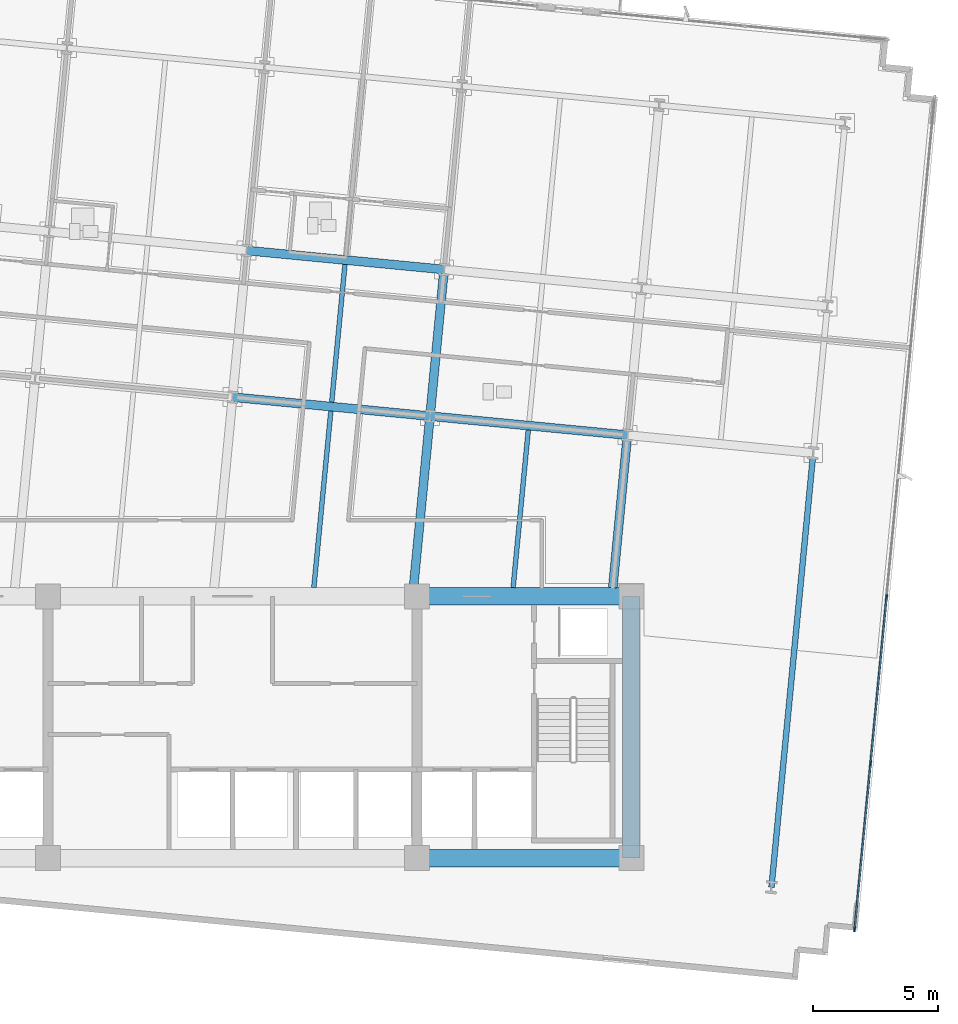
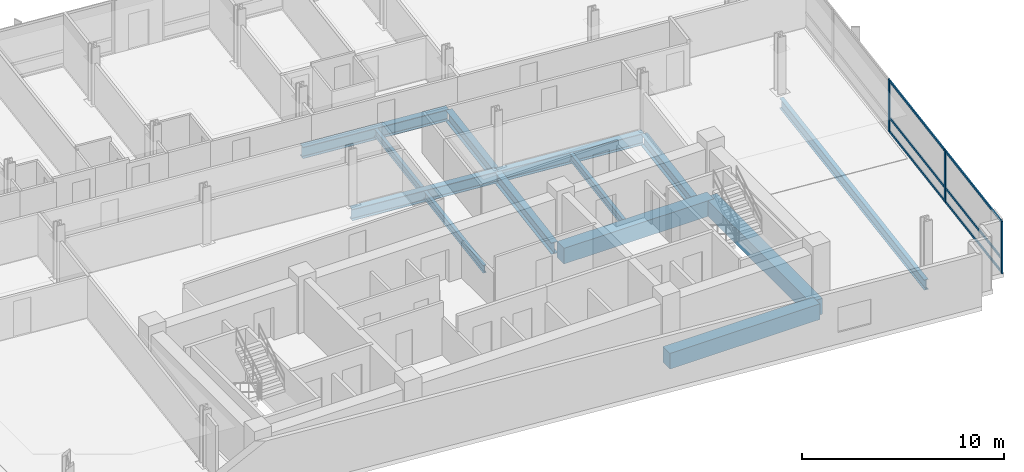
# One storey, part 5 of 17: 13 beams, 9 members, 1 element without a shape of its own.
"""IFC4 building model written with IfcOpenShell, lengths in metres."""

from ifc_helpers import new_model, si_unit, direction, frame, origin, origin_2d, place, context, subcontext, project, spatial, rectangle, i_section, extrude, material, material_profile, profile_set, type_object, element, aggregate, save


model = new_model("IFC4")

# Units and contexts
model_context = context("Model", 3, precision=1e-05, world=origin(), true_north=direction((0.0, 1.0)))
body_context = subcontext(model_context, "Body", "Model", "MODEL_VIEW")
ifc_project = project(units=[si_unit("LENGTHUNIT", "METRE"), si_unit("AREAUNIT", "SQUARE_METRE"), si_unit("VOLUMEUNIT", "CUBIC_METRE"), si_unit("PLANEANGLEUNIT", "RADIAN"), si_unit("MASSUNIT", "GRAM", prefix="KILO")], contexts=[model_context])

# Site, building, storey
site_placement = place(None, origin())
site = spatial("IfcSite", under=ifc_project, at=site_placement, CompositionType="ELEMENT")
building_placement = place(site_placement, origin())
building = spatial("IfcBuilding", under=site, at=building_placement, Name="Solmavex Isthmus Hotel", CompositionType="ELEMENT")
storey_placement = place(building_placement, frame((0.0, 0.0, 153.14990234375)))
storey = spatial("IfcBuildingStorey", under=building, at=storey_placement, Name="L41", CompositionType="ELEMENT", Elevation=153.14990234375)

# Beams
ifc_material_1 = material(Name="Steel ASTM A992 Grade 50", Category="steel")
ifc_material_profile_1 = material_profile(ifc_material_1, i_section(OverallWidth=0.354736328125, OverallDepth=0.695556640625, WebThickness=0.015380859375, FlangeThickness=0.02490234375, FilletRadius=0.017822265625, at=origin_2d()), Name="W27X146")
ifc_profile_set_1 = profile_set([ifc_material_profile_1], Name="Steel ASTM A992 Grade 50")
beam_type_1 = type_object("IfcBeamType", Name="BM-BG-W27X146", PredefinedType="BEAM", material=ifc_profile_set_1)
for number, where, z_axis, x_axis, name in (
    (1, (0.001220703125, 5.490234375, -0.607666015625), (0.995397440011, -0.095832856685, 0.0), (0.095832856685, 0.995397440011, 0.0), "Floor Girder L41-UG06"),
    (2, (7.920654296875, 4.727783203125, -0.607666015625), (0.995397440011, -0.095832856685, 0.0), (0.095832856685, 0.995397440011, 0.0), "Floor Girder L41-UG07"),
):
    element("IfcBeam", number, at=place(storey_placement, frame(where, z_axis=z_axis, x_axis=x_axis)), inside=storey, type_object=beam_type_1, Name=name, PredefinedType="BEAM", context=body_context, shape_type="SweptSolid", body=[
        extrude(i_section(OverallWidth=0.354736328125, OverallDepth=0.695556640625, WebThickness=0.015380859375, FlangeThickness=0.02490234375, FilletRadius=0.017822265625, at=origin_2d()), origin(), (0.0, 0.0, 1.0), 7.9560546875),
    ])
beam_1_placement = place(storey_placement, frame((0.567626953125, 11.37109375, -0.607666015625), z_axis=(0.995397158178, -0.095835783981, 0.0), x_axis=(0.095835783981, 0.995397158178, 0.0)))
element("IfcBeam", 3, at=beam_1_placement, inside=storey, type_object=beam_type_1, Name="Floor Girder L41-UG12", PredefinedType="BEAM", context=body_context, shape_type="SweptSolid", body=[
    extrude(i_section(OverallWidth=0.354736328125, OverallDepth=0.695556640625, WebThickness=0.015380859375, FlangeThickness=0.02490234375, FilletRadius=0.017822265625, at=origin_2d()), origin(), (0.0, 0.0, 1.0), 7.955810546875),
])
beam_2_placement = place(storey_placement, frame((7.25830078125, -2.14990234375, -0.607666015625), z_axis=(0.095847843924, 0.995395996986, 0.0), x_axis=(-0.995395996986, 0.095847843924, 0.0)))
element("IfcBeam", 4, at=beam_2_placement, inside=storey, type_object=beam_type_1, Name="Floor Beam L41-VG33", PredefinedType="BEAM", context=body_context, shape_type="SweptSolid", body=[
    extrude(i_section(OverallWidth=0.354736328125, OverallDepth=0.695556640625, WebThickness=0.015380859375, FlangeThickness=0.02490234375, FilletRadius=0.017822265625, at=origin_2d()), origin(), (0.0, 0.0, 1.0), 6.732177734375),
])
beam_3_placement = place(storey_placement, frame((7.937744140625, 4.904296875, -0.607666015625), z_axis=(0.095842252862, 0.99539653534, 0.0), x_axis=(-0.99539653534, 0.095842252862, 0.0)))
element("IfcBeam", 5, at=beam_3_placement, inside=storey, type_object=beam_type_1, Name="Floor Beam L41-VG34", PredefinedType="BEAM", context=body_context, shape_type="SweptSolid", body=[
    extrude(i_section(OverallWidth=0.354736328125, OverallDepth=0.695556640625, WebThickness=0.015380859375, FlangeThickness=0.02490234375, FilletRadius=0.017822265625, at=origin_2d()), origin(), (0.0, 0.0, 1.0), 5.55322265625),
])
beam_4_placement = place(storey_placement, frame((15.251220703125, -2.14990234375, -0.607666015625), z_axis=(0.095840286514, 0.995396724669, 0.0), x_axis=(-0.995396724669, 0.095840286514, 0.0)))
element("IfcBeam", 6, at=beam_4_placement, inside=storey, type_object=beam_type_1, Name="Floor Beam L41-VG36", PredefinedType="BEAM", context=body_context, shape_type="SweptSolid", body=[
    extrude(i_section(OverallWidth=0.354736328125, OverallDepth=0.695556640625, WebThickness=0.015380859375, FlangeThickness=0.02490234375, FilletRadius=0.017822265625, at=origin_2d()), origin(), (0.0, 0.0, 1.0), 5.9658203125),
])
ifc_material_profile_2 = material_profile(ifc_material_1, i_section(OverallWidth=0.1904296875, OverallDepth=0.456787109375, WebThickness=0.009033203125, FlangeThickness=0.014404296875, FilletRadius=0.0126953125, at=origin_2d()), Name="W18X50")
ifc_profile_set_2 = profile_set([ifc_material_profile_2], Name="Steel ASTM A992 Grade 50")
beam_type_2 = type_object("IfcBeamType", Name="BM-BJ-W18X50", PredefinedType="JOIST", material=ifc_profile_set_2)
beam_5_placement = place(storey_placement, frame((3.261962890625, -2.14990234375, -0.48828125), z_axis=(0.095837287001, 0.995397013468, 0.0), x_axis=(-0.995397013468, 0.095837287001, 0.0)))
element("IfcBeam", 7, at=beam_5_placement, inside=storey, type_object=beam_type_2, Name="Secondary Floor Joist L41-J10", PredefinedType="JOIST", context=body_context, shape_type="SweptSolid", body=[
    extrude(i_section(OverallWidth=0.1904296875, OverallDepth=0.456787109375, WebThickness=0.009033203125, FlangeThickness=0.014404296875, FilletRadius=0.0126953125, at=origin_2d()), origin(), (0.0, 0.0, 1.0), 7.114990234375),
])
beam_6_placement = place(storey_placement, frame((3.97802734375, 5.28564453125, -0.48828125), z_axis=(0.095842252862, 0.99539653534, 0.0), x_axis=(-0.99539653534, 0.095842252862, 0.0)))
element("IfcBeam", 8, at=beam_6_placement, inside=storey, type_object=beam_type_2, Name="Secondary Floor Joist L41-J11", PredefinedType="JOIST", context=body_context, shape_type="SweptSolid", body=[
    extrude(i_section(OverallWidth=0.1904296875, OverallDepth=0.456787109375, WebThickness=0.009033203125, FlangeThickness=0.014404296875, FilletRadius=0.0126953125, at=origin_2d()), origin(), (0.0, 0.0, 1.0), 5.55322265625),
])
beam_7_placement = place(storey_placement, frame((11.2548828125, -2.14990234375, -0.48828125), z_axis=(0.095825243261, 0.995398172971, 0.0), x_axis=(-0.995398172971, 0.095825243261, 0.0)))
element("IfcBeam", 9, at=beam_7_placement, inside=storey, type_object=beam_type_2, Name="Secondary Floor Joist L41-J13", PredefinedType="JOIST", context=body_context, shape_type="SweptSolid", body=[
    extrude(i_section(OverallWidth=0.1904296875, OverallDepth=0.456787109375, WebThickness=0.009033203125, FlangeThickness=0.014404296875, FilletRadius=0.0126953125, at=origin_2d()), origin(), (0.0, 0.0, 1.0), 6.34912109375),
])
ifc_material_2 = material(Name="Concrete C60/75", Category="concrete")
ifc_material_profile_3 = material_profile(ifc_material_2, rectangle(XDim=0.699951171875, YDim=0.949951171875, at=origin_2d()), Name="RC700X950")
ifc_profile_set_3 = profile_set([ifc_material_profile_3], Name="Concrete C60/75")
beam_type_3 = type_object("IfcBeamType", Name="BM-CB-700X950", PredefinedType="BEAM", material=ifc_profile_set_3)
for number, where, z_axis, x_axis, name in (
    (10, (7.39990234375, -13.0, -0.73486328125), (1.0, 0.0, 0.0), (0.0, 1.0, 0.0), "Core Coupling Beam L41-CB3"),
    (11, (7.39990234375, -2.5, -0.73486328125), (1.0, 0.0, 0.0), (0.0, 1.0, 0.0), "Core Coupling Beam L41-CB6"),
):
    element("IfcBeam", number, at=place(storey_placement, frame(where, z_axis=z_axis, x_axis=x_axis)), inside=storey, type_object=beam_type_3, Name=name, PredefinedType="BEAM", context=body_context, shape_type="SweptSolid", body=[
        extrude(rectangle(XDim=0.699951171875, YDim=0.949951171875, at=origin_2d()), origin(), (0.0, 0.0, 1.0), 8.60009765625),
    ])
beam_8_placement = place(storey_placement, frame((16.0, -13.0, -0.73486328125), z_axis=(0.0, 1.0, 0.0), x_axis=(-1.0, 0.0, 0.0)))
element("IfcBeam", 12, at=beam_8_placement, inside=storey, type_object=beam_type_3, Name="Core Coupling Beam L41-CB8", PredefinedType="BEAM", context=body_context, shape_type="SweptSolid", body=[
    extrude(rectangle(XDim=0.699951171875, YDim=0.949951171875, at=origin_2d()), origin(), (0.0, 0.0, 1.0), 10.5),
])
ifc_material_profile_4 = material_profile(ifc_material_1, i_section(OverallWidth=0.230224609375, OverallDepth=0.617431640625, WebThickness=0.01318359375, FlangeThickness=0.022216796875, FilletRadius=0.01513671875, at=origin_2d()), Name="W24X94")
ifc_profile_set_4 = profile_set([ifc_material_profile_4], Name="Steel ASTM A992 Grade 50")
beam_type_4 = type_object("IfcBeamType", Name="BM-SP-W24X94", PredefinedType="SPANDREL", material=ifc_profile_set_4)
beam_9_placement = place(storey_placement, frame((21.6162109375, -14.171875, -0.568603515625), z_axis=(0.095851245948, 0.995395669395, 0.0), x_axis=(-0.995395669395, 0.095851245948, 0.0)))
element("IfcBeam", 13, at=beam_9_placement, inside=storey, type_object=beam_type_4, Name="Floor Beam L41-VG39", PredefinedType="SPANDREL", context=body_context, shape_type="SweptSolid", body=[
    extrude(i_section(OverallWidth=0.230224609375, OverallDepth=0.617431640625, WebThickness=0.01318359375, FlangeThickness=0.022216796875, FilletRadius=0.01513671875, at=origin_2d()), origin(), (0.0, 0.0, 1.0), 17.32275390625),
])

# Curtain wall, members
ifc_material_3 = material(Name="Aluminium alloy 6063-T6", Category="aluminium")
curtain_wall_type = type_object("IfcCurtainWallType", Name="CW-SYS-03", PredefinedType="NOTDEFINED", material=ifc_material_3)
curtain_wall_placement = place(storey_placement, origin())
curtain_wall = element("IfcCurtainWall", 14, at=curtain_wall_placement, inside=storey, type_object=curtain_wall_type, Name="Stick Curtain Wall CWL-L41-E1", PredefinedType="NOTDEFINED")
ifc_material_profile_5 = material_profile(ifc_material_3, rectangle(XDim=0.070068359375, YDim=0.179931640625, at=origin_2d()), Name="CWM-70X180")
ifc_profile_set_5 = profile_set([ifc_material_profile_5], Name="Aluminium alloy 6063-T6")
member_type_1 = type_object("IfcMemberType", Name="CW-SYS-03-MUL", PredefinedType="MULLION", material=ifc_profile_set_5)
member_1_placement = place(storey_placement, frame((24.949462890625, -15.8642578125, 0.0), z_axis=(0.0, 0.0, 1.0), x_axis=(-0.995396190038, 0.09584583902, 0.0)))
member_1 = element("IfcMember", 15, at=member_1_placement, type_object=member_type_1, Name="CW-03 mullion 1", PredefinedType="MULLION", context=body_context, shape_type="SweptSolid", body=[
    extrude(rectangle(XDim=0.070068359375, YDim=0.179931640625, at=origin_2d()), origin(), (0.0, 0.0, 1.0), 3.190185546875),
])
member_2_placement = place(storey_placement, frame((25.590087890625, -9.2099609375, 0.0), z_axis=(0.0, 0.0, 1.0), x_axis=(-0.995396190038, 0.09584583902, 0.0)))
member_2 = element("IfcMember", 16, at=member_2_placement, type_object=member_type_1, Name="CW-03 mullion 2", PredefinedType="MULLION", context=body_context, shape_type="SweptSolid", body=[
    extrude(rectangle(XDim=0.070068359375, YDim=0.179931640625, at=origin_2d()), origin(), (0.0, 0.0, 1.0), 3.190185546875),
])
member_3_placement = place(storey_placement, frame((26.234130859375, -2.520751953125, 0.0), z_axis=(0.0, 0.0, 1.0), x_axis=(-0.995396190038, 0.09584583902, 0.0)))
member_3 = element("IfcMember", 17, at=member_3_placement, type_object=member_type_1, Name="CW-03 mullion 3", PredefinedType="MULLION", context=body_context, shape_type="SweptSolid", body=[
    extrude(rectangle(XDim=0.070068359375, YDim=0.179931640625, at=origin_2d()), origin(), (0.0, 0.0, 1.0), 3.190185546875),
])
ifc_material_profile_6 = material_profile(ifc_material_3, rectangle(XDim=0.070068359375, YDim=0.139892578125, at=origin_2d()), Name="CWT-70X140")
ifc_profile_set_6 = profile_set([ifc_material_profile_6], Name="Aluminium alloy 6063-T6")
member_type_2 = type_object("IfcMemberType", Name="CW-SYS-03-TRN", PredefinedType="USERDEFINED", material=ifc_profile_set_6)
member_4_placement = place(storey_placement, frame((24.95263671875, -15.829345703125, 0.070068359375), z_axis=(0.095848837806, 0.995395901283, 0.0), x_axis=(-0.995395901283, 0.095848837806, 0.0)))
member_4 = element("IfcMember", 18, at=member_4_placement, type_object=member_type_2, Name="CW-03 transom 1.1", ObjectType="TRANSOM", PredefinedType="USERDEFINED", context=body_context, shape_type="SweptSolid", body=[
    extrude(rectangle(XDim=0.070068359375, YDim=0.139892578125, at=origin_2d()), origin(), (0.0, 0.0, 1.0), 6.614990234375),
])
member_5_placement = place(storey_placement, frame((24.95263671875, -15.829345703125, 0.900146484375), z_axis=(0.095848837806, 0.995395901283, 0.0), x_axis=(-0.995395901283, 0.095848837806, 0.0)))
member_5 = element("IfcMember", 19, at=member_5_placement, type_object=member_type_2, Name="CW-03 transom 1.2", ObjectType="TRANSOM", PredefinedType="USERDEFINED", context=body_context, shape_type="SweptSolid", body=[
    extrude(rectangle(XDim=0.070068359375, YDim=0.139892578125, at=origin_2d()), origin(), (0.0, 0.0, 1.0), 6.614990234375),
])
member_6_placement = place(storey_placement, frame((24.95263671875, -15.829345703125, 3.1201171875), z_axis=(0.095848837806, 0.995395901283, 0.0), x_axis=(-0.995395901283, 0.095848837806, 0.0)))
member_6 = element("IfcMember", 20, at=member_6_placement, type_object=member_type_2, Name="CW-03 transom 1.3", ObjectType="TRANSOM", PredefinedType="USERDEFINED", context=body_context, shape_type="SweptSolid", body=[
    extrude(rectangle(XDim=0.070068359375, YDim=0.139892578125, at=origin_2d()), origin(), (0.0, 0.0, 1.0), 6.614990234375),
])
member_7_placement = place(storey_placement, frame((25.593505859375, -9.175048828125, 0.070068359375), z_axis=(0.095857212138, 0.995395094865, 0.0), x_axis=(-0.995395094865, 0.095857212138, 0.0)))
member_7 = element("IfcMember", 21, at=member_7_placement, type_object=member_type_2, Name="CW-03 transom 2.1", ObjectType="TRANSOM", PredefinedType="USERDEFINED", context=body_context, shape_type="SweptSolid", body=[
    extrude(rectangle(XDim=0.070068359375, YDim=0.139892578125, at=origin_2d()), origin(), (0.0, 0.0, 1.0), 6.64990234375),
])
member_8_placement = place(storey_placement, frame((25.593505859375, -9.175048828125, 0.900146484375), z_axis=(0.095857212138, 0.995395094865, 0.0), x_axis=(-0.995395094865, 0.095857212138, 0.0)))
member_8 = element("IfcMember", 22, at=member_8_placement, type_object=member_type_2, Name="CW-03 transom 2.2", ObjectType="TRANSOM", PredefinedType="USERDEFINED", context=body_context, shape_type="SweptSolid", body=[
    extrude(rectangle(XDim=0.070068359375, YDim=0.139892578125, at=origin_2d()), origin(), (0.0, 0.0, 1.0), 6.64990234375),
])
member_9_placement = place(storey_placement, frame((25.593505859375, -9.175048828125, 3.1201171875), z_axis=(0.095857212138, 0.995395094865, 0.0), x_axis=(-0.995395094865, 0.095857212138, 0.0)))
member_9 = element("IfcMember", 23, at=member_9_placement, type_object=member_type_2, Name="CW-03 transom 2.3", ObjectType="TRANSOM", PredefinedType="USERDEFINED", context=body_context, shape_type="SweptSolid", body=[
    extrude(rectangle(XDim=0.070068359375, YDim=0.139892578125, at=origin_2d()), origin(), (0.0, 0.0, 1.0), 6.64990234375),
])
aggregate(curtain_wall, [member_1, member_2, member_3, member_4, member_5, member_6, member_7, member_8, member_9])

save(model, "model.ifc")
